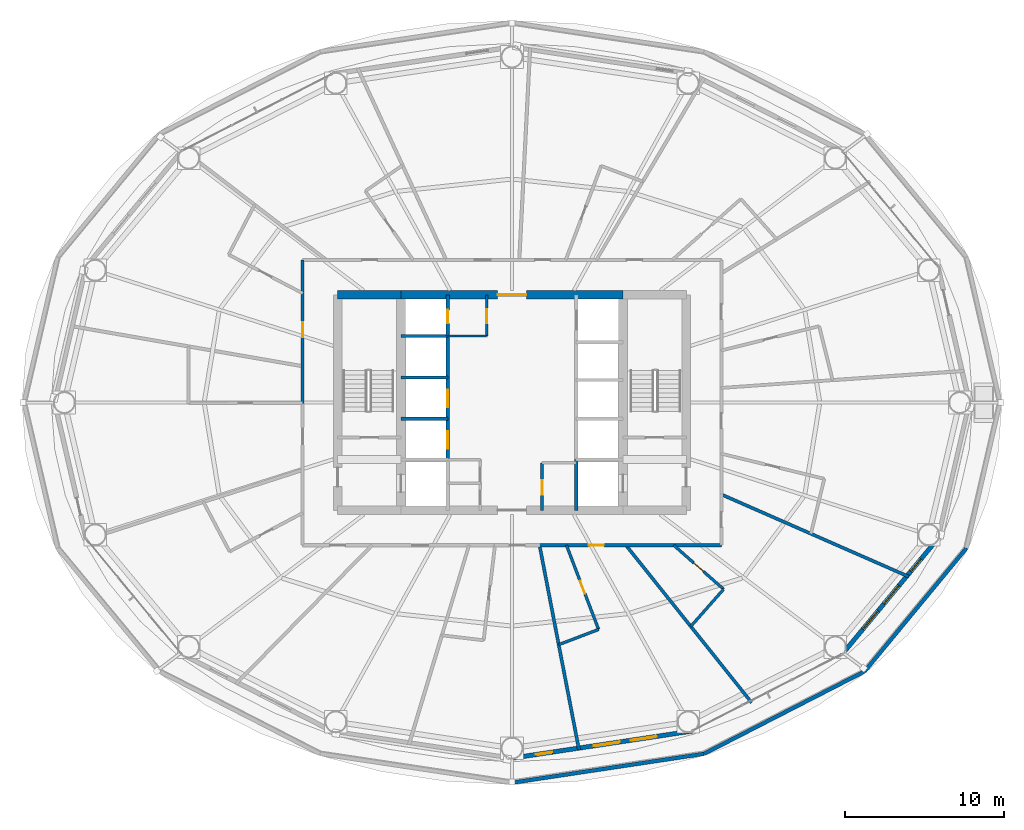
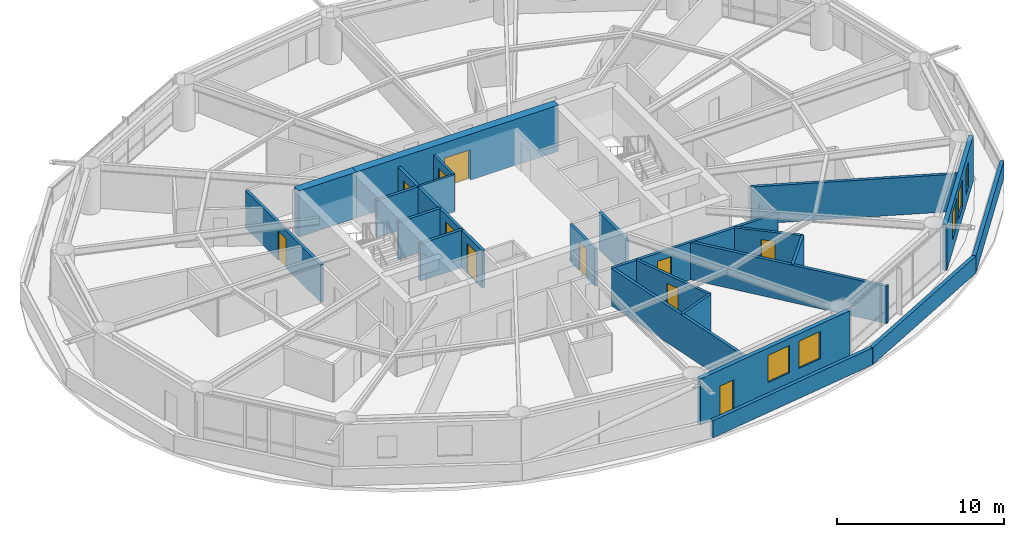
# One storey, part 20 of 25: 25 walls, 11 doors, 5 windows, 16 openings.
"""IFC4 building model written with IfcOpenShell, lengths in metres."""

import ifcopenshell
import ifcopenshell.guid

model = None  # the IFC model being written
_history = None  # IfcOwnerHistory: only IFC2X3 demands one
_inside = {}  # id of a spatial element -> (the spatial element, [elements in it])
_under = {}  # id of a project, library or spatial element -> (it, [spatial elements below it])
_declared = {}  # id of a project -> (the project, [libraries it declares])
_typed = {}  # id of a type object -> (the type object, [elements of that type])
_made_of = {}  # id of a material, layer set ... -> (it, [elements and type objects made of it])


def new_model(schema):
    """Start an empty IFC model of exactly this schema.

    Asked for "IFC4X3", IfcOpenShell would pick the latest addendum, in which some entities
    have other attributes; the version numbers below select the first issue.
    IFC2X3 requires an IfcOwnerHistory on every rooted entity: one is made here for all.
    """
    global model, _history
    if schema == "IFC4X3":
        model = ifcopenshell.file(schema_version=(4, 3, 0, 0))
    else:
        model = ifcopenshell.file(schema=schema)
    _inside.clear()
    _under.clear()
    _declared.clear()
    _typed.clear()
    _made_of.clear()
    _history = None
    if model.schema == "IFC2X3":
        org = make("IfcOrganization", Name="unknown")
        user = make(
            "IfcPersonAndOrganization",
            ThePerson=make("IfcPerson", FamilyName="unknown"),
            TheOrganization=org,
        )
        app = make(
            "IfcApplication",
            ApplicationDeveloper=org,
            Version="unknown",
            ApplicationFullName="unknown",
            ApplicationIdentifier="unknown",
        )
        _history = make(
            "IfcOwnerHistory",
            OwningUser=user,
            OwningApplication=app,
            ChangeAction="ADDED",
            CreationDate=0,
        )
    return model


def make(cls, **values):
    """One entity of the class cls with the attributes given. An attribute that is None is left unset."""
    return model.create_entity(
        cls, **{name: value for name, value in values.items() if value is not None}
    )


def rooted(cls, **values):
    """An entity with a GlobalId (a new one), such as an element, a storey or a relation."""
    return make(cls, GlobalId=ifcopenshell.guid.new(), OwnerHistory=_history, **values)


def si_unit(unit_type, name, prefix=None):
    """IfcSIUnit, for example si_unit("LENGTHUNIT", "METRE", prefix="MILLI")."""
    return make("IfcSIUnit", UnitType=unit_type, Prefix=prefix, Name=name)


def assignment(units):
    """IfcUnitAssignment: the units of a project."""
    return None if units is None else make("IfcUnitAssignment", Units=units)


def point(xyz):
    """IfcCartesianPoint."""
    return None if xyz is None else make("IfcCartesianPoint", Coordinates=xyz)


def direction(xyz):
    """IfcDirection."""
    return None if xyz is None else make("IfcDirection", DirectionRatios=xyz)


def frame(location, z_axis=None, x_axis=None):
    """IfcAxis2Placement3D, a coordinate frame: its origin and axes. An axis left out is left unset."""
    return make(
        "IfcAxis2Placement3D",
        Location=point(location),
        Axis=direction(z_axis),
        RefDirection=direction(x_axis),
    )


def frame_2d(location, x_axis=None):
    """IfcAxis2Placement2D, a coordinate frame in the plane: its origin and x axis."""
    return make(
        "IfcAxis2Placement2D", Location=point(location), RefDirection=direction(x_axis)
    )


def origin():
    """The frame at (0, 0, 0) with its axes left unset."""
    return frame((0.0, 0.0, 0.0))


def place(relative_to, where):
    """IfcLocalPlacement: puts the frame where relative to a parent placement (None: the world)."""
    return make(
        "IfcLocalPlacement", PlacementRelTo=relative_to, RelativePlacement=where
    )


def context(
    kind, dimensions, precision=None, world=None, true_north=None, identifier=None
):
    """IfcGeometricRepresentationContext, for example the 3D "Model" context."""
    return make(
        "IfcGeometricRepresentationContext",
        ContextIdentifier=identifier,
        ContextType=kind,
        CoordinateSpaceDimension=dimensions,
        Precision=precision,
        WorldCoordinateSystem=world,
        TrueNorth=true_north,
    )


def subcontext(parent, identifier, kind, view, scale=None):
    """IfcGeometricRepresentationSubContext, for example "Body" below "Model"."""
    return make(
        "IfcGeometricRepresentationSubContext",
        ContextIdentifier=identifier,
        ContextType=kind,
        ParentContext=parent,
        TargetScale=scale,
        TargetView=view,
    )


def project(units=None, contexts=None):
    """IfcProject with its units and contexts."""
    return rooted(
        "IfcProject",
        Name="project",
        RepresentationContexts=contexts,
        UnitsInContext=assignment(units),
    )


def spatial(cls, under=None, at=None, **own):
    """A site, building, storey or space (cls), placed at a placement, below another one or the project."""
    s = rooted(cls, ObjectPlacement=at, **own)
    if under is not None:
        _under.setdefault(under.id(), (under, []))[1].append(s)
    return s


def profile(cls, at=None, kind="AREA", **sizes):
    """A parametric profile (cls). Its sizes go by their IFC names, for example OverallWidth=200.0."""
    return make(cls, ProfileType=kind, Position=at, **sizes)


def rectangle(**sizes):
    """IfcRectangleProfileDef."""
    return profile("IfcRectangleProfileDef", **sizes)


def extrude(swept, where, along, depth):
    """IfcExtrudedAreaSolid: the profile swept, set in the frame where, extruded along a direction by depth."""
    return make(
        "IfcExtrudedAreaSolid",
        SweptArea=swept,
        Position=where,
        ExtrudedDirection=direction(along),
        Depth=depth,
    )


def shape(context_of_items, identifier, shape_type, items):
    """IfcShapeRepresentation: the items that make up one representation, for example the "Body"."""
    return make(
        "IfcShapeRepresentation",
        ContextOfItems=context_of_items,
        RepresentationIdentifier=identifier,
        RepresentationType=shape_type,
        Items=items,
    )


def material(Name=None, Category=None):
    """IfcMaterial."""
    return make("IfcMaterial", Name=Name, Category=Category)


def layer(
    of_material, thickness, ventilated=None, Name=None, Category=None, Priority=None
):
    """IfcMaterialLayer: one layer of a wall or slab, of a material (None: an air gap)."""
    return make(
        "IfcMaterialLayer",
        Material=of_material,
        LayerThickness=thickness,
        IsVentilated=ventilated,
        Name=Name,
        Category=Category,
        Priority=Priority,
    )


def layer_set(layers, Name=None):
    """IfcMaterialLayerSet."""
    return make("IfcMaterialLayerSet", MaterialLayers=layers, LayerSetName=Name)


def made_of(thing, what):
    """Note that an element or type object is made of a material, layer set ...; save() writes the relation."""
    if what is not None:
        _made_of.setdefault(what.id(), (what, []))[1].append(thing)
    return thing


def type_object(cls, material=None, **own):
    """A type object (cls), such as IfcWallType, which elements share."""
    return made_of(rooted(cls, **own), material)


def element(
    cls,
    number,
    at=None,
    inside=None,
    cuts=None,
    type_object=None,
    material=None,
    context=None,
    identifier="Body",
    shape_type=None,
    held_by="IfcProductDefinitionShape",
    body=None,
    shapes=None,
    **own,
):
    """One element of the class cls, such as IfcWall. Its Tag is "e" and its number.

    at: its placement. inside: the storey or other place that contains it. cuts: it is an
    opening in that element (IfcRelVoidsElement). A single representation is given by context,
    identifier, shape_type and body (its items); several are given by shapes. held_by: the class
    of the entity that holds the representations. save() writes the other relations.
    """
    e = rooted(cls, Tag="e%d" % number, ObjectPlacement=at, **own)
    if body is not None:
        shapes = [shape(context, identifier, shape_type, body)]
    if shapes is not None:
        e.Representation = make(held_by, Representations=shapes)
    if inside is not None:
        _inside.setdefault(inside.id(), (inside, []))[1].append(e)
    if cuts is not None:
        rooted(
            "IfcRelVoidsElement", RelatingBuildingElement=cuts, RelatedOpeningElement=e
        )
    if type_object is not None:
        _typed.setdefault(type_object.id(), (type_object, []))[1].append(e)
    return made_of(e, material)


def fill(opening, filler):
    """IfcRelFillsElement: the door or window that sits in an opening."""
    return rooted(
        "IfcRelFillsElement",
        RelatingOpeningElement=opening,
        RelatedBuildingElement=filler,
    )


def aggregate(whole, parts):
    """IfcRelAggregates: a whole, such as a stair, and the parts it consists of."""
    return rooted("IfcRelAggregates", RelatingObject=whole, RelatedObjects=parts)


def save(model, path):
    """Write the relations noted so far, then the file.

    IfcRelAggregates (storeys below a building ...), IfcRelContainedInSpatialStructure (elements
    in a storey), IfcRelDefinesByType, IfcRelAssociatesMaterial and IfcRelDeclares: one each for
    every whole, place, type object, material and project.
    """
    for whole, parts in _under.values():
        aggregate(whole, parts)
    for where, things in _inside.values():
        rooted(
            "IfcRelContainedInSpatialStructure",
            RelatedElements=things,
            RelatingStructure=where,
        )
    for kind, things in _typed.values():
        rooted("IfcRelDefinesByType", RelatedObjects=things, RelatingType=kind)
    for what, things in _made_of.values():
        rooted("IfcRelAssociatesMaterial", RelatedObjects=things, RelatingMaterial=what)
    for by, libraries in _declared.values():
        rooted("IfcRelDeclares", RelatingContext=by, RelatedDefinitions=libraries)
    model.write(path)


model = new_model("IFC4")

# Units and contexts
model_context = context("Model", 3, precision=1e-05, world=origin(), true_north=direction((0.0, 1.0)))
body_context = subcontext(model_context, "Body", "Model", "MODEL_VIEW")
ifc_project = project(units=[si_unit("LENGTHUNIT", "METRE"), si_unit("AREAUNIT", "SQUARE_METRE"), si_unit("VOLUMEUNIT", "CUBIC_METRE"), si_unit("PLANEANGLEUNIT", "RADIAN"), si_unit("MASSUNIT", "GRAM", prefix="KILO")], contexts=[model_context])

# Site, building, storey
site_placement = place(None, origin())
site = spatial("IfcSite", under=ifc_project, at=site_placement, CompositionType="ELEMENT")
building_placement = place(site_placement, origin())
building = spatial("IfcBuilding", under=site, at=building_placement, Name="Sarneth Arch Tower", CompositionType="ELEMENT")
storey_placement = place(building_placement, frame((0.0, 0.0, 84.0)))
storey = spatial("IfcBuildingStorey", under=building, at=storey_placement, Name="L20", CompositionType="ELEMENT", Elevation=84.0)

# Wall
ifc_material_1 = material(Name="Concrete C60/75", Category="concrete")
ifc_layer_1 = layer(ifc_material_1, 0.550048828125)
ifc_layer_set_1 = layer_set([ifc_layer_1], Name="Concrete C60/75")
wall_type_1 = type_object("IfcWallType", Name="WALL-CORE-550", PredefinedType="SHEAR", material=ifc_layer_set_1)
wall_1_placement = place(storey_placement, frame((37.0, 48.800048828125, 0.0), z_axis=(0.0, 0.0, 1.0), x_axis=(1.0, 0.0, 0.0)))
element("IfcWall", 1, at=wall_1_placement, inside=storey, type_object=wall_type_1, Name="L20 Core shear wall N-W", PredefinedType="SHEAR", context=body_context, shape_type="SweptSolid", body=[
    extrude(rectangle(XDim=4.0, YDim=0.550048828125, at=frame_2d((2.0, 0.0))), origin(), (0.0, 0.0, 1.0), 3.3798828125),
])

# Wall, opening, door
wall_2_placement = place(storey_placement, frame((41.0, 48.800048828125, 0.0), z_axis=(0.0, 0.0, 1.0), x_axis=(1.0, 0.0, 0.0)))
wall_2 = element("IfcWall", 2, at=wall_2_placement, inside=storey, type_object=wall_type_1, Name="L20 Core shear wall N-M", PredefinedType="SHEAR", context=body_context, shape_type="SweptSolid", body=[
    extrude(rectangle(XDim=14.0, YDim=0.550048828125, at=frame_2d((7.0, 0.0))), origin(), (0.0, 0.0, 1.0), 3.3798828125),
])
opening_1_placement = place(wall_2_placement, frame((6.10009765625, 0.0, 0.0)))
opening_1 = element("IfcOpeningElement", 3, at=opening_1_placement, cuts=wall_2, Name="Opening FD-01", PredefinedType="OPENING", context=body_context, shape_type="SweptSolid", body=[
    extrude(rectangle(XDim=1.800048828125, YDim=2.25, at=frame_2d((0.89990234375, 1.125))), frame((0.0, 0.284912109375, 0.0), z_axis=(0.0, -1.0, 0.0), x_axis=(1.0, 0.0, 0.0)), (0.0, 0.0, 1.0), 0.570068359375),
])
ifc_material_2 = material(Name="Galvanised Steel S275 fire door set", Category="steel")
door_type_1 = type_object("IfcDoorType", Name="DR-FD90-1800", OperationType="DOUBLE_DOOR_SINGLE_SWING", PredefinedType="DOOR", material=ifc_material_2)
door_1_placement = place(opening_1_placement, origin())
door_1 = element("IfcDoor", 4, at=door_1_placement, inside=storey, type_object=door_type_1, Name="L20 Central lift lobby north door", OperationType="DOUBLE_DOOR_SINGLE_SWING", OverallHeight=2.25, OverallWidth=1.800048828125, PredefinedType="DOOR", context=body_context, shape_type="SweptSolid", body=[
    extrude(rectangle(XDim=1.800048828125, YDim=2.25, at=frame_2d((0.89990234375, 1.125))), frame((0.0, 0.02490234375, 0.0), z_axis=(0.0, -1.0, 0.0), x_axis=(1.0, 0.0, 0.0)), (0.0, 0.0, 1.0), 0.050048828125),
])
fill(opening_1, door_1)

ifc_material_3 = material(Name="Double steel-stud corridor fire wall", Category="steel")
ifc_layer_2 = layer(ifc_material_3, 0.18994140625)
ifc_layer_set_2 = layer_set([ifc_layer_2], Name="Double steel-stud corridor fire wall")
wall_type_2 = type_object("IfcWallType", Name="WALL-CORR-190", PredefinedType="PARTITIONING", material=ifc_layer_set_2)
wall_3_placement = place(storey_placement, frame((34.800048828125, 41.939697265625, 0.0), z_axis=(0.0, 0.0, 1.0), x_axis=(0.0, 1.0, 0.0)))
wall_3 = element("IfcWall", 5, at=wall_3_placement, inside=storey, type_object=wall_type_2, Name="L20 Interior partition W-L20-TP-011", PredefinedType="PARTITIONING", context=body_context, shape_type="SweptSolid", body=[
    extrude(rectangle(XDim=9.060302734375, YDim=0.18994140625, at=frame_2d((4.5302734375, 0.0))), origin(), (0.0, 0.0, 1.0), 2.739990234375),
])
opening_2_placement = place(wall_3_placement, frame((4.1787109375, 0.0, 0.0)))
opening_2 = element("IfcOpeningElement", 6, at=opening_2_placement, cuts=wall_3, Name="Opening FD-09", PredefinedType="OPENING", context=body_context, shape_type="SweptSolid", body=[
    extrude(rectangle(XDim=0.949951171875, YDim=2.14990234375, at=frame_2d((0.47509765625, 1.074951171875))), frame((0.0, 0.10498046875, 0.0), z_axis=(0.0, -1.0, 0.0), x_axis=(1.0, 0.0, 0.0)), (0.0, 0.0, 1.0), 0.2099609375),
])
ifc_material_4 = material(Name="Hardwood timber hotel entrance fire door", Category="wood")
door_type_2 = type_object("IfcDoorType", Name="DR-FD60-950", OperationType="SINGLE_SWING_RIGHT", PredefinedType="DOOR", material=ifc_material_4)
door_2_placement = place(opening_2_placement, origin())
door_2 = element("IfcDoor", 7, at=door_2_placement, inside=storey, type_object=door_type_2, Name="L20 Interior door DR-L20-KEY-06", OperationType="SINGLE_SWING_LEFT", OverallHeight=2.14990234375, OverallWidth=0.949951171875, PredefinedType="DOOR", context=body_context, shape_type="SweptSolid", body=[
    extrude(rectangle(XDim=0.949951171875, YDim=2.14990234375, at=frame_2d((0.47509765625, 1.074951171875))), frame((0.0, 0.02490234375, 0.0), z_axis=(0.0, -1.0, 0.0), x_axis=(1.0, 0.0, 0.0)), (0.0, 0.0, 1.0), 0.050048828125),
])
fill(opening_2, door_2)

wall_4_placement = place(storey_placement, frame((61.199951171875, 33.0, 0.0), z_axis=(0.0, 0.0, 1.0), x_axis=(-1.0, 0.0, 0.0)))
wall_4 = element("IfcWall", 8, at=wall_4_placement, inside=storey, type_object=wall_type_2, Name="L20 Interior partition W-L20-TP-022", PredefinedType="PARTITIONING", context=body_context, shape_type="SweptSolid", body=[
    extrude(rectangle(XDim=11.49560546875, YDim=0.18994140625, at=frame_2d((5.747802734375, 0.0))), origin(), (0.0, 0.0, 1.0), 2.739990234375),
])
opening_3_placement = place(wall_4_placement, frame((7.40966796875, 0.0, 0.0)))
opening_3 = element("IfcOpeningElement", 9, at=opening_3_placement, cuts=wall_4, Name="Opening FD-09", PredefinedType="OPENING", context=body_context, shape_type="SweptSolid", body=[
    extrude(rectangle(XDim=0.949951171875, YDim=2.14990234375, at=frame_2d((0.47509765625, 1.074951171875))), frame((0.0, 0.10498046875, 0.0), z_axis=(0.0, -1.0, 0.0), x_axis=(1.0, 0.0, 0.0)), (0.0, 0.0, 1.0), 0.2099609375),
])
door_3_placement = place(opening_3_placement, origin())
door_3 = element("IfcDoor", 10, at=door_3_placement, inside=storey, type_object=door_type_2, Name="L20 Interior door DR-L20-KEY-11", OperationType="SINGLE_SWING_RIGHT", OverallHeight=2.14990234375, OverallWidth=0.949951171875, PredefinedType="DOOR", context=body_context, shape_type="SweptSolid", body=[
    extrude(rectangle(XDim=0.949951171875, YDim=2.14990234375, at=frame_2d((0.47509765625, 1.074951171875))), frame((0.0, 0.02490234375, 0.0), z_axis=(0.0, -1.0, 0.0), x_axis=(1.0, 0.0, 0.0)), (0.0, 0.0, 1.0), 0.050048828125),
])
fill(opening_3, door_3)

# Wall, openings, door, windows
ifc_material_5 = material(Name="Extruded terracotta rainscreen on Concrete C40/50 backing", Category="masonry")
ifc_layer_3 = layer(ifc_material_5, 0.280029296875)
ifc_layer_set_3 = layer_set([ifc_layer_3], Name="Extruded terracotta rainscreen on Concrete C40/50 backing")
wall_type_3 = type_object("IfcWallType", Name="WALL-EXT-TERRA-280", PredefinedType="SOLIDWALL", material=ifc_layer_set_3)
wall_5_placement = place(storey_placement, frame((48.0, 19.570068359375, 0.0), z_axis=(0.0, 0.0, 1.0), x_axis=(0.988877774656, 0.148730450117, 0.0)))
wall_5 = element("IfcWall", 11, at=wall_5_placement, inside=storey, type_object=wall_type_3, Name="L20 Terracotta perimeter wall 13", PredefinedType="SOLIDWALL", context=body_context, shape_type="SweptSolid", body=[
    extrude(rectangle(XDim=11.47900390625, YDim=0.280029296875, at=frame_2d((5.739501953125, 0.0))), origin(), (0.0, 0.0, 1.0), 3.3798828125),
])
opening_4_placement = place(wall_5_placement, frame((1.523681640625, 0.0, 0.0)))
opening_4 = element("IfcOpeningElement", 12, at=opening_4_placement, cuts=wall_5, Name="Opening BD-4", PredefinedType="OPENING", context=body_context, shape_type="SweptSolid", body=[
    extrude(rectangle(XDim=1.050048828125, YDim=2.199951171875, at=frame_2d((0.52490234375, 1.10009765625))), frame((0.0, 0.14990234375, 0.0), z_axis=(0.0, -1.0, 0.0), x_axis=(1.0, 0.0, 0.0)), (0.0, 0.0, 1.0), 0.300048828125),
])
opening_5_placement = place(wall_5_placement, frame((5.21484375, 0.0, 0.85009765625)))
opening_5 = element("IfcOpeningElement", 13, at=opening_5_placement, cuts=wall_5, Name="Opening W-05", PredefinedType="OPENING", context=body_context, shape_type="SweptSolid", body=[
    extrude(rectangle(XDim=1.64990234375, YDim=2.0, at=frame_2d((0.824951171875, 1.0))), frame((0.0, 0.14990234375, 0.0), z_axis=(0.0, -1.0, 0.0), x_axis=(1.0, 0.0, 0.0)), (0.0, 0.0, 1.0), 0.300048828125),
])
opening_6_placement = place(wall_5_placement, frame((7.571044921875, 0.0, 0.85009765625)))
opening_6 = element("IfcOpeningElement", 14, at=opening_6_placement, cuts=wall_5, Name="Opening W-05", PredefinedType="OPENING", context=body_context, shape_type="SweptSolid", body=[
    extrude(rectangle(XDim=1.64990234375, YDim=2.0, at=frame_2d((0.824951171875, 1.0))), frame((0.0, 0.14990234375, 0.0), z_axis=(0.0, -1.0, 0.0), x_axis=(1.0, 0.0, 0.0)), (0.0, 0.0, 1.0), 0.300048828125),
])
ifc_material_6 = material(Name="Thermally broken Aluminium 6063-T6 and laminated safety glass", Category="aluminium")
door_type_3 = type_object("IfcDoorType", Name="DR-BALC-GLZ-1050", OperationType="SINGLE_SWING_RIGHT", PredefinedType="DOOR", material=ifc_material_6)
door_4_placement = place(opening_4_placement, origin())
door_4 = element("IfcDoor", 15, at=door_4_placement, inside=storey, type_object=door_type_3, Name="L20 Maintenance roof access door 13", OperationType="SINGLE_SWING_RIGHT", OverallHeight=2.199951171875, OverallWidth=1.050048828125, PredefinedType="DOOR", context=body_context, shape_type="SweptSolid", body=[
    extrude(rectangle(XDim=1.050048828125, YDim=2.199951171875, at=frame_2d((0.52490234375, 1.10009765625))), frame((0.0, 0.02490234375, 0.0), z_axis=(0.0, -1.0, 0.0), x_axis=(1.0, 0.0, 0.0)), (0.0, 0.0, 1.0), 0.050048828125),
])
fill(opening_4, door_4)
ifc_material_7 = material(Name="Thermally broken Aluminium 6063-T6 and low-e laminated IGU", Category="aluminium")
window_type_1 = type_object("IfcWindowType", Name="WIN-TWR-1650x2000", PartitioningType="DOUBLE_PANEL_VERTICAL", PredefinedType="WINDOW", material=ifc_material_7)
window_1_placement = place(opening_5_placement, origin())
window_1 = element("IfcWindow", 16, at=window_1_placement, inside=storey, type_object=window_type_1, Name="L20 Exterior window 13A", OverallHeight=2.0, OverallWidth=1.64990234375, PartitioningType="SINGLE_PANEL", PredefinedType="WINDOW", context=body_context, shape_type="SweptSolid", body=[
    extrude(rectangle(XDim=1.64990234375, YDim=2.0, at=frame_2d((0.824951171875, 1.0))), frame((0.0, 0.030029296875, 0.0), z_axis=(0.0, -1.0, 0.0), x_axis=(1.0, 0.0, 0.0)), (0.0, 0.0, 1.0), 0.06005859375),
])
fill(opening_5, window_1)
window_2_placement = place(opening_6_placement, origin())
window_2 = element("IfcWindow", 17, at=window_2_placement, inside=storey, type_object=window_type_1, Name="L20 Exterior window 13B", OverallHeight=2.0, OverallWidth=1.64990234375, PartitioningType="SINGLE_PANEL", PredefinedType="WINDOW", context=body_context, shape_type="SweptSolid", body=[
    extrude(rectangle(XDim=1.64990234375, YDim=2.0, at=frame_2d((0.824951171875, 1.0))), frame((0.0, 0.030029296875, 0.0), z_axis=(0.0, -1.0, 0.0), x_axis=(1.0, 0.0, 0.0)), (0.0, 0.0, 1.0), 0.06005859375),
])
fill(opening_6, window_2)

# Wall, openings, windows
wall_6_placement = place(storey_placement, frame((68.840087890625, 26.1396484375, 0.0), z_axis=(0.0, 0.0, 1.0), x_axis=(0.637505817448, 0.770445541696, 0.0)))
wall_6 = element("IfcWall", 18, at=wall_6_placement, inside=storey, type_object=wall_type_3, Name="L20 Terracotta perimeter wall 15", PredefinedType="SOLIDWALL", context=body_context, shape_type="SweptSolid", body=[
    extrude(rectangle(XDim=9.445068359375, YDim=0.280029296875, at=frame_2d((4.72265625, 0.0))), origin(), (0.0, 0.0, 1.0), 3.3798828125),
])
opening_7_placement = place(wall_6_placement, frame((2.033203125, 0.0, 0.85009765625)))
opening_7 = element("IfcOpeningElement", 19, at=opening_7_placement, cuts=wall_6, Name="Opening W-06", PredefinedType="OPENING", context=body_context, shape_type="SweptSolid", body=[
    extrude(rectangle(XDim=1.5, YDim=2.0, at=frame_2d((0.75, 1.0))), frame((0.0, 0.14990234375, 0.0), z_axis=(0.0, -1.0, 0.0), x_axis=(1.0, 0.0, 0.0)), (0.0, 0.0, 1.0), 0.300048828125),
])
opening_8_placement = place(wall_6_placement, frame((4.10546875, 0.0, 0.85009765625)))
opening_8 = element("IfcOpeningElement", 20, at=opening_8_placement, cuts=wall_6, Name="Opening W-06", PredefinedType="OPENING", context=body_context, shape_type="SweptSolid", body=[
    extrude(rectangle(XDim=1.5, YDim=2.0, at=frame_2d((0.75, 1.0))), frame((0.0, 0.14990234375, 0.0), z_axis=(0.0, -1.0, 0.0), x_axis=(1.0, 0.0, 0.0)), (0.0, 0.0, 1.0), 0.300048828125),
])
opening_9_placement = place(wall_6_placement, frame((6.7724609375, 0.0, 0.85009765625)))
opening_9 = element("IfcOpeningElement", 21, at=opening_9_placement, cuts=wall_6, Name="Opening W-11", PredefinedType="OPENING", context=body_context, shape_type="SweptSolid", body=[
    extrude(rectangle(XDim=1.0, YDim=1.800048828125, at=frame_2d((0.5, 0.89990234375))), frame((0.0, 0.14990234375, 0.0), z_axis=(0.0, -1.0, 0.0), x_axis=(1.0, 0.0, 0.0)), (0.0, 0.0, 1.0), 0.300048828125),
])
ifc_material_8 = material(Name="Thermally broken Aluminium 6063-T6 and low-e laminated IGU", Category="aluminium")
window_type_2 = type_object("IfcWindowType", Name="WIN-TWR-1000x1800", PartitioningType="SINGLE_PANEL", PredefinedType="WINDOW", material=ifc_material_8)
window_3_placement = place(opening_9_placement, origin())
window_3 = element("IfcWindow", 22, at=window_3_placement, inside=storey, type_object=window_type_2, Name="L20 Exterior window 15C", OverallHeight=1.800048828125, OverallWidth=1.0, PartitioningType="SINGLE_PANEL", PredefinedType="WINDOW", context=body_context, shape_type="SweptSolid", body=[
    extrude(rectangle(XDim=1.0, YDim=1.800048828125, at=frame_2d((0.5, 0.89990234375))), frame((0.0, 0.030029296875, 0.0), z_axis=(0.0, -1.0, 0.0), x_axis=(1.0, 0.0, 0.0)), (0.0, 0.0, 1.0), 0.06005859375),
])
fill(opening_9, window_3)
ifc_material_9 = material(Name="Thermally broken Aluminium 6063-T6 and low-e laminated IGU", Category="aluminium")
window_type_3 = type_object("IfcWindowType", Name="WIN-TWR-1500x2000", PartitioningType="SINGLE_PANEL", PredefinedType="WINDOW", material=ifc_material_9)
window_4_placement = place(opening_7_placement, origin())
window_4 = element("IfcWindow", 23, at=window_4_placement, inside=storey, type_object=window_type_3, Name="L20 Exterior window 15A", OverallHeight=2.0, OverallWidth=1.5, PartitioningType="SINGLE_PANEL", PredefinedType="WINDOW", context=body_context, shape_type="SweptSolid", body=[
    extrude(rectangle(XDim=1.5, YDim=2.0, at=frame_2d((0.75, 1.0))), frame((0.0, 0.030029296875, 0.0), z_axis=(0.0, -1.0, 0.0), x_axis=(1.0, 0.0, 0.0)), (0.0, 0.0, 1.0), 0.06005859375),
])
fill(opening_7, window_4)
window_5_placement = place(opening_8_placement, origin())
window_5 = element("IfcWindow", 24, at=window_5_placement, inside=storey, type_object=window_type_3, Name="L20 Exterior window 15B", OverallHeight=2.0, OverallWidth=1.5, PartitioningType="SINGLE_PANEL", PredefinedType="WINDOW", context=body_context, shape_type="SweptSolid", body=[
    extrude(rectangle(XDim=1.5, YDim=2.0, at=frame_2d((0.75, 1.0))), frame((0.0, 0.030029296875, 0.0), z_axis=(0.0, -1.0, 0.0), x_axis=(1.0, 0.0, 0.0)), (0.0, 0.0, 1.0), 0.06005859375),
])
fill(opening_8, window_5)

# Walls
ifc_material_10 = material(Name="Extruded terracotta rainscreen on Concrete C40/50 backing", Category="masonry")
ifc_layer_4 = layer(ifc_material_10, 0.239990234375)
ifc_layer_set_4 = layer_set([ifc_layer_4], Name="Extruded terracotta rainscreen on Concrete C40/50 backing")
wall_type_4 = type_object("IfcWallType", Name="WALL-PARAPET-240", PredefinedType="PARAPET", material=ifc_layer_set_4)
wall_7_placement = place(storey_placement, frame((48.0, 18.02001953125, 0.0), z_axis=(0.0, 0.0, 1.0), x_axis=(0.988840272251, 0.148979582406, 0.0)))
element("IfcWall", 25, at=wall_7_placement, inside=storey, type_object=wall_type_4, Name="L20 Setback roof parapet 13", PredefinedType="PARAPET", context=body_context, shape_type="SweptSolid", body=[
    extrude(rectangle(XDim=12.2529296875, YDim=0.239990234375, at=frame_2d((6.12646484375, 0.0))), origin(), (0.0, 0.0, 1.0), 1.25),
])
wall_8_placement = place(storey_placement, frame((60.1162109375, 19.845458984375, 0.0), z_axis=(0.0, 0.0, 1.0), x_axis=(0.889663800129, 0.456616165658, 0.0)))
element("IfcWall", 26, at=wall_8_placement, inside=storey, type_object=wall_type_4, Name="L20 Setback roof parapet 14", PredefinedType="PARAPET", context=body_context, shape_type="SweptSolid", body=[
    extrude(rectangle(XDim=11.38427734375, YDim=0.239990234375, at=frame_2d((5.692138671875, 0.0))), origin(), (0.0, 0.0, 1.0), 1.25),
])
wall_9_placement = place(storey_placement, frame((70.244384765625, 25.043701171875, 0.0), z_axis=(0.0, 0.0, 1.0), x_axis=(0.636906456166, 0.770941091196, 0.0)))
element("IfcWall", 27, at=wall_9_placement, inside=storey, type_object=wall_type_4, Name="L20 Setback roof parapet 15", PredefinedType="PARAPET", context=body_context, shape_type="SweptSolid", body=[
    extrude(rectangle(XDim=10.091064453125, YDim=0.239990234375, at=frame_2d((5.04541015625, 0.0))), origin(), (0.0, 0.0, 1.0), 1.25),
])
ifc_material_11 = material(Name="Acoustic gypsum stud partition", Category="gypsum")
ifc_layer_5 = layer(ifc_material_11, 0.14990234375)
ifc_layer_set_5 = layer_set([ifc_layer_5], Name="Acoustic gypsum stud partition")
wall_type_5 = type_object("IfcWallType", Name="WALL-PART-150", PredefinedType="PARTITIONING", material=ifc_layer_set_5)
wall_10_placement = place(storey_placement, frame((43.949951171875, 46.199951171875, 0.0), z_axis=(0.0, 0.0, 1.0), x_axis=(1.0, 0.0, 0.0)))
element("IfcWall", 28, at=wall_10_placement, inside=storey, type_object=wall_type_5, Name="L20 Interior partition W-L20-CSUP3-S", PredefinedType="PARTITIONING", context=body_context, shape_type="SweptSolid", body=[
    extrude(rectangle(XDim=2.449951171875, YDim=0.14990234375, at=frame_2d((1.22509765625, 0.0))), origin(), (0.0, 0.0, 1.0), 2.739990234375),
])

# Wall, opening, door
wall_11_placement = place(storey_placement, frame((46.39990234375, 46.199951171875, 0.0), z_axis=(0.0, 0.0, 1.0), x_axis=(0.0, 1.0, 0.0)))
wall_11 = element("IfcWall", 29, at=wall_11_placement, inside=storey, type_object=wall_type_5, Name="L20 Interior partition W-L20-CSUP3-E", PredefinedType="PARTITIONING", context=body_context, shape_type="SweptSolid", body=[
    extrude(rectangle(XDim=2.60009765625, YDim=0.14990234375, at=frame_2d((1.300048828125, 0.0))), origin(), (0.0, 0.0, 1.0), 2.739990234375),
])
opening_10_placement = place(wall_11_placement, frame((0.800048828125, 0.0, 0.0)))
opening_10 = element("IfcOpeningElement", 30, at=opening_10_placement, cuts=wall_11, Name="Opening FD-10", PredefinedType="OPENING", context=body_context, shape_type="SweptSolid", body=[
    extrude(rectangle(XDim=0.89990234375, YDim=2.14990234375, at=frame_2d((0.449951171875, 1.074951171875))), frame((0.0, 0.0849609375, 0.0), z_axis=(0.0, -1.0, 0.0), x_axis=(1.0, 0.0, 0.0)), (0.0, 0.0, 1.0), 0.169921875),
])
ifc_material_12 = material(Name="Galvanised Steel S275 riser/service fire door", Category="steel")
door_type_4 = type_object("IfcDoorType", Name="DR-FD60-900", OperationType="SINGLE_SWING_LEFT", PredefinedType="DOOR", material=ifc_material_12)
door_5_placement = place(opening_10_placement, origin())
door_5 = element("IfcDoor", 31, at=door_5_placement, inside=storey, type_object=door_type_4, Name="L20 Interior door DR-L20-CSUP3", OperationType="SINGLE_SWING_LEFT", OverallHeight=2.14990234375, OverallWidth=0.89990234375, PredefinedType="DOOR", context=body_context, shape_type="SweptSolid", body=[
    extrude(rectangle(XDim=0.89990234375, YDim=2.14990234375, at=frame_2d((0.449951171875, 1.074951171875))), frame((0.0, 0.02490234375, 0.0), z_axis=(0.0, -1.0, 0.0), x_axis=(1.0, 0.0, 0.0)), (0.0, 0.0, 1.0), 0.050048828125),
])
fill(opening_10, door_5)

ifc_material_13 = material(Name="Moisture-resistant plumbing chase wall", Category="gypsum")
ifc_layer_6 = layer(ifc_material_13, 0.179931640625)
ifc_layer_set_6 = layer_set([ifc_layer_6], Name="Moisture-resistant plumbing chase wall")
wall_type_6 = type_object("IfcWallType", Name="WALL-PLUMB-180", PredefinedType="PLUMBINGWALL", material=ifc_layer_set_6)
wall_12_placement = place(storey_placement, frame((49.89990234375, 35.199951171875, 0.0), z_axis=(0.0, 0.0, 1.0), x_axis=(0.0, 1.0, 0.0)))
wall_12 = element("IfcWall", 32, at=wall_12_placement, inside=storey, type_object=wall_type_6, Name="L20 Interior partition W-L20-AWC-W", PredefinedType="PLUMBINGWALL", context=body_context, shape_type="SweptSolid", body=[
    extrude(rectangle(XDim=3.0, YDim=0.179931640625, at=frame_2d((1.5, 0.0))), origin(), (0.0, 0.0, 1.0), 2.739990234375),
])
opening_11_placement = place(wall_12_placement, frame((1.0, 0.0, 0.0)))
opening_11 = element("IfcOpeningElement", 33, at=opening_11_placement, cuts=wall_12, Name="Opening ID-01", PredefinedType="OPENING", context=body_context, shape_type="SweptSolid", body=[
    extrude(rectangle(XDim=0.89990234375, YDim=2.10009765625, at=frame_2d((0.449951171875, 1.050048828125))), frame((0.0, 0.099853515625, 0.0), z_axis=(0.0, -1.0, 0.0), x_axis=(1.0, 0.0, 0.0)), (0.0, 0.0, 1.0), 0.199951171875),
])
ifc_material_14 = material(Name="Engineered hardwood flush door", Category="wood")
door_type_5 = type_object("IfcDoorType", Name="DR-INT-900", OperationType="SINGLE_SWING_LEFT", PredefinedType="DOOR", material=ifc_material_14)
door_6_placement = place(opening_11_placement, origin())
door_6 = element("IfcDoor", 34, at=door_6_placement, inside=storey, type_object=door_type_5, Name="L20 Interior door DR-L20-AWC", OperationType="SINGLE_SWING_RIGHT", OverallHeight=2.10009765625, OverallWidth=0.89990234375, PredefinedType="DOOR", context=body_context, shape_type="SweptSolid", body=[
    extrude(rectangle(XDim=0.89990234375, YDim=2.10009765625, at=frame_2d((0.449951171875, 1.050048828125))), frame((0.0, 0.02490234375, 0.0), z_axis=(0.0, -1.0, 0.0), x_axis=(1.0, 0.0, 0.0)), (0.0, 0.0, 1.0), 0.050048828125),
])
fill(opening_11, door_6)

wall_13_placement = place(storey_placement, frame((53.462890625, 27.68798828125, 0.0), z_axis=(0.0, 0.0, 1.0), x_axis=(-0.356604128264, 0.934255583716, 0.0)))
wall_13 = element("IfcWall", 35, at=wall_13_placement, inside=storey, type_object=wall_type_6, Name="L20 Interior partition W-L20-TP-066", PredefinedType="PLUMBINGWALL", context=body_context, shape_type="SweptSolid", body=[
    extrude(rectangle(XDim=5.685791015625, YDim=0.179931640625, at=frame_2d((2.8427734375, 0.0))), origin(), (0.0, 0.0, 1.0), 2.739990234375),
])
opening_12_placement = place(wall_13_placement, frame((2.41796875, 0.0, 0.0)))
opening_12 = element("IfcOpeningElement", 36, at=opening_12_placement, cuts=wall_13, Name="Opening ID-02", PredefinedType="OPENING", context=body_context, shape_type="SweptSolid", body=[
    extrude(rectangle(XDim=0.85009765625, YDim=2.10009765625, at=frame_2d((0.425048828125, 1.050048828125))), frame((0.0, 0.099853515625, 0.0), z_axis=(0.0, -1.0, 0.0), x_axis=(1.0, 0.0, 0.0)), (0.0, 0.0, 1.0), 0.199951171875),
])
ifc_material_15 = material(Name="Moisture-resistant bathroom timber door", Category="wood")
door_type_6 = type_object("IfcDoorType", Name="DR-INT-850", OperationType="SINGLE_SWING_RIGHT", PredefinedType="DOOR", material=ifc_material_15)
door_7_placement = place(opening_12_placement, origin())
door_7 = element("IfcDoor", 37, at=door_7_placement, inside=storey, type_object=door_type_6, Name="L20 Interior door DR-L20-ENS-11", OperationType="SINGLE_SWING_LEFT", OverallHeight=2.10009765625, OverallWidth=0.85009765625, PredefinedType="DOOR", context=body_context, shape_type="SweptSolid", body=[
    extrude(rectangle(XDim=0.85009765625, YDim=2.10009765625, at=frame_2d((0.425048828125, 1.050048828125))), frame((0.0, 0.02490234375, 0.0), z_axis=(0.0, -1.0, 0.0), x_axis=(1.0, 0.0, 0.0)), (0.0, 0.0, 1.0), 0.050048828125),
])
fill(opening_12, door_7)

wall_14_placement = place(storey_placement, frame((61.348388671875, 30.225341796875, 0.0), z_axis=(0.0, 0.0, 1.0), x_axis=(-0.749931272561, 0.661515749197, 0.0)))
wall_14 = element("IfcWall", 38, at=wall_14_placement, inside=storey, type_object=wall_type_6, Name="L20 Interior partition W-L20-TP-070", PredefinedType="PLUMBINGWALL", context=body_context, shape_type="SweptSolid", body=[
    extrude(rectangle(XDim=4.1943359375, YDim=0.179931640625, at=frame_2d((2.09716796875, 0.0))), origin(), (0.0, 0.0, 1.0), 2.739990234375),
])
opening_13_placement = place(wall_14_placement, frame((1.672119140625, 0.0, 0.0)))
opening_13 = element("IfcOpeningElement", 39, at=opening_13_placement, cuts=wall_14, Name="Opening ID-02", PredefinedType="OPENING", context=body_context, shape_type="SweptSolid", body=[
    extrude(rectangle(XDim=0.85009765625, YDim=2.10009765625, at=frame_2d((0.425048828125, 1.050048828125))), frame((0.0, 0.099853515625, 0.0), z_axis=(0.0, -1.0, 0.0), x_axis=(1.0, 0.0, 0.0)), (0.0, 0.0, 1.0), 0.199951171875),
])
door_8_placement = place(opening_13_placement, origin())
door_8 = element("IfcDoor", 40, at=door_8_placement, inside=storey, type_object=door_type_6, Name="L20 Interior door DR-L20-ENS-12", OperationType="SINGLE_SWING_LEFT", OverallHeight=2.10009765625, OverallWidth=0.85009765625, PredefinedType="DOOR", context=body_context, shape_type="SweptSolid", body=[
    extrude(rectangle(XDim=0.85009765625, YDim=2.10009765625, at=frame_2d((0.425048828125, 1.050048828125))), frame((0.0, 0.02490234375, 0.0), z_axis=(0.0, -1.0, 0.0), x_axis=(1.0, 0.0, 0.0)), (0.0, 0.0, 1.0), 0.050048828125),
])
fill(opening_13, door_8)

# Walls
wall_15_placement = place(storey_placement, frame((59.27880859375, 27.879150390625, 0.0), z_axis=(0.0, 0.0, 1.0), x_axis=(0.661515810511, 0.749931218475, 0.0)))
element("IfcWall", 41, at=wall_15_placement, inside=storey, type_object=wall_type_6, Name="L20 Interior partition W-L20-TP-069", PredefinedType="PLUMBINGWALL", context=body_context, shape_type="SweptSolid", body=[
    extrude(rectangle(XDim=3.128662109375, YDim=0.179931640625, at=frame_2d((1.564453125, 0.0))), origin(), (0.0, 0.0, 1.0), 2.739990234375),
])
wall_16_placement = place(storey_placement, frame((50.947509765625, 26.727783203125, 0.0), z_axis=(0.0, 0.0, 1.0), x_axis=(0.934244754769, 0.35663249738, 0.0)))
element("IfcWall", 42, at=wall_16_placement, inside=storey, type_object=wall_type_6, Name="L20 Interior partition W-L20-TP-065", PredefinedType="PLUMBINGWALL", context=body_context, shape_type="SweptSolid", body=[
    extrude(rectangle(XDim=2.6923828125, YDim=0.179931640625, at=frame_2d((1.34619140625, 0.0))), origin(), (0.0, 0.0, 1.0), 2.739990234375),
])
ifc_material_16 = material(Name="Aerated concrete blockwork C25/30", Category="masonry")
ifc_layer_7 = layer(ifc_material_16, 0.199951171875)
ifc_layer_set_7 = layer_set([ifc_layer_7], Name="Aerated concrete blockwork C25/30")
wall_type_7 = type_object("IfcWallType", Name="WALL-SHAFT-200", PredefinedType="SOLIDWALL", material=ifc_layer_set_7)
wall_17_placement = place(storey_placement, frame((52.050048828125, 35.199951171875, 0.0), z_axis=(0.0, 0.0, 1.0), x_axis=(0.0, 1.0, 0.0)))
element("IfcWall", 43, at=wall_17_placement, inside=storey, type_object=wall_type_7, Name="L20 Interior partition W-L20-FL2-W", PredefinedType="SOLIDWALL", context=body_context, shape_type="SweptSolid", body=[
    extrude(rectangle(XDim=3.199951171875, YDim=0.199951171875, at=frame_2d((1.60009765625, 0.0))), origin(), (0.0, 0.0, 1.0), 2.739990234375),
])
wall_18_placement = place(storey_placement, frame((41.0, 46.199951171875, 0.0), z_axis=(0.0, 0.0, 1.0), x_axis=(1.0, 0.0, 0.0)))
element("IfcWall", 44, at=wall_18_placement, inside=storey, type_object=wall_type_7, Name="L20 Interior partition W-L20-RISER-S", PredefinedType="SOLIDWALL", context=body_context, shape_type="SweptSolid", body=[
    extrude(rectangle(XDim=2.949951171875, YDim=0.199951171875, at=frame_2d((1.47509765625, 0.0))), origin(), (0.0, 0.0, 1.0), 2.739990234375),
])

# Wall, opening, door
wall_19_placement = place(storey_placement, frame((43.949951171875, 46.199951171875, 0.0), z_axis=(0.0, 0.0, 1.0), x_axis=(0.0, 1.0, 0.0)))
wall_19 = element("IfcWall", 45, at=wall_19_placement, inside=storey, type_object=wall_type_7, Name="L20 Interior partition W-L20-RISER-E", PredefinedType="SOLIDWALL", context=body_context, shape_type="SweptSolid", body=[
    extrude(rectangle(XDim=2.60009765625, YDim=0.199951171875, at=frame_2d((1.300048828125, 0.0))), origin(), (0.0, 0.0, 1.0), 2.739990234375),
])
opening_14_placement = place(wall_19_placement, frame((0.800048828125, 0.0, 0.0)))
opening_14 = element("IfcOpeningElement", 46, at=opening_14_placement, cuts=wall_19, Name="Opening FD-11", PredefinedType="OPENING", context=body_context, shape_type="SweptSolid", body=[
    extrude(rectangle(XDim=0.85009765625, YDim=2.14990234375, at=frame_2d((0.425048828125, 1.074951171875))), frame((0.0, 0.10986328125, 0.0), z_axis=(0.0, -1.0, 0.0), x_axis=(1.0, 0.0, 0.0)), (0.0, 0.0, 1.0), 0.219970703125),
])
ifc_material_17 = material(Name="Galvanised Steel S275 closet fire door", Category="steel")
door_type_7 = type_object("IfcDoorType", Name="DR-FD60-850", OperationType="SINGLE_SWING_LEFT", PredefinedType="DOOR", material=ifc_material_17)
door_9_placement = place(opening_14_placement, origin())
door_9 = element("IfcDoor", 47, at=door_9_placement, inside=storey, type_object=door_type_7, Name="L20 Lift landing door DR-L20-RISER", OperationType="SINGLE_SWING_LEFT", OverallHeight=2.14990234375, OverallWidth=0.85009765625, PredefinedType="DOOR", context=body_context, shape_type="SweptSolid", body=[
    extrude(rectangle(XDim=0.85009765625, YDim=2.14990234375, at=frame_2d((0.425048828125, 1.074951171875))), frame((0.0, 0.02490234375, 0.0), z_axis=(0.0, -1.0, 0.0), x_axis=(1.0, 0.0, 0.0)), (0.0, 0.0, 1.0), 0.050048828125),
])
fill(opening_14, door_9)

# Wall, openings, doors
wall_20_placement = place(storey_placement, frame((43.949951171875, 38.39990234375, 0.0), z_axis=(0.0, 0.0, 1.0), x_axis=(0.0, 1.0, 0.0)))
wall_20 = element("IfcWall", 48, at=wall_20_placement, inside=storey, type_object=wall_type_7, Name="L20 Interior partition W-L20-WESTBANK-FRONT", PredefinedType="SOLIDWALL", context=body_context, shape_type="SweptSolid", body=[
    extrude(rectangle(XDim=7.800048828125, YDim=0.199951171875, at=frame_2d((3.89990234375, 0.0))), origin(), (0.0, 0.0, 1.0), 2.739990234375),
])
opening_15_placement = place(wall_20_placement, frame((0.699951171875, 0.0, 0.0)))
opening_15 = element("IfcOpeningElement", 49, at=opening_15_placement, cuts=wall_20, Name="Opening LD-1", PredefinedType="OPENING", context=body_context, shape_type="SweptSolid", body=[
    extrude(rectangle(XDim=1.10009765625, YDim=2.199951171875, at=frame_2d((0.550048828125, 1.10009765625))), frame((0.0, 0.10986328125, 0.0), z_axis=(0.0, -1.0, 0.0), x_axis=(1.0, 0.0, 0.0)), (0.0, 0.0, 1.0), 0.219970703125),
])
opening_16_placement = place(wall_20_placement, frame((3.300048828125, 0.0, 0.0)))
opening_16 = element("IfcOpeningElement", 50, at=opening_16_placement, cuts=wall_20, Name="Opening LD-1", PredefinedType="OPENING", context=body_context, shape_type="SweptSolid", body=[
    extrude(rectangle(XDim=1.10009765625, YDim=2.199951171875, at=frame_2d((0.550048828125, 1.10009765625))), frame((0.0, 0.10986328125, 0.0), z_axis=(0.0, -1.0, 0.0), x_axis=(1.0, 0.0, 0.0)), (0.0, 0.0, 1.0), 0.219970703125),
])
ifc_material_18 = material(Name="Brushed Stainless Steel 304 lift landing door", Category="steel")
door_type_8 = type_object("IfcDoorType", Name="DR-LIFT-SLIDE-1100", OperationType="SLIDING_TO_LEFT", PredefinedType="DOOR", material=ifc_material_18)
door_10_placement = place(opening_15_placement, origin())
door_10 = element("IfcDoor", 51, at=door_10_placement, inside=storey, type_object=door_type_8, Name="L20 Lift landing door DR-L20-LD-PL1", OperationType="SLIDING_TO_LEFT", OverallHeight=2.199951171875, OverallWidth=1.10009765625, PredefinedType="DOOR", context=body_context, shape_type="SweptSolid", body=[
    extrude(rectangle(XDim=1.10009765625, YDim=2.199951171875, at=frame_2d((0.550048828125, 1.10009765625))), frame((0.0, 0.02490234375, 0.0), z_axis=(0.0, -1.0, 0.0), x_axis=(1.0, 0.0, 0.0)), (0.0, 0.0, 1.0), 0.050048828125),
])
fill(opening_15, door_10)
door_11_placement = place(opening_16_placement, origin())
door_11 = element("IfcDoor", 52, at=door_11_placement, inside=storey, type_object=door_type_8, Name="L20 Lift landing door DR-L20-LD-PL2", OperationType="SLIDING_TO_RIGHT", OverallHeight=2.199951171875, OverallWidth=1.10009765625, PredefinedType="DOOR", context=body_context, shape_type="SweptSolid", body=[
    extrude(rectangle(XDim=1.10009765625, YDim=2.199951171875, at=frame_2d((0.550048828125, 1.10009765625))), frame((0.0, 0.02490234375, 0.0), z_axis=(0.0, -1.0, 0.0), x_axis=(1.0, 0.0, 0.0)), (0.0, 0.0, 1.0), 0.050048828125),
])
fill(opening_16, door_11)

# Walls
for number, where, z_axis, x_axis, name in (
    (53, (41.0, 40.97998046875, 0.0), (0.0, 0.0, 1.0), (1.0, 0.0, 0.0), "L20 Interior partition W-L20-WB-DIV-4098"),
    (54, (41.0, 43.580078125, 0.0), (0.0, 0.0, 1.0), (1.0, 0.0, 0.0), "L20 Interior partition W-L20-WB-DIV-4358"),
):
    element("IfcWall", number, at=place(storey_placement, frame(where, z_axis=z_axis, x_axis=x_axis)), inside=storey, type_object=wall_type_7, Name=name, PredefinedType="SOLIDWALL", context=body_context, shape_type="SweptSolid", body=[
        extrude(rectangle(XDim=2.949951171875, YDim=0.199951171875, at=frame_2d((1.47509765625, 0.0))), origin(), (0.0, 0.0, 1.0), 2.739990234375),
    ])
ifc_material_19 = material(Name="Double steel-stud acoustic drywall", Category="steel")
ifc_layer_8 = layer(ifc_material_19, 0.199951171875)
ifc_layer_set_8 = layer_set([ifc_layer_8], Name="Double steel-stud acoustic drywall")
wall_type_8 = type_object("IfcWallType", Name="WALL-UNIT-200", PredefinedType="PARTITIONING", material=ifc_layer_set_8)
wall_21_placement = place(storey_placement, frame((49.73681640625, 33.0, 0.0), z_axis=(0.0, 0.0, 1.0), x_axis=(0.18949034594, -0.981882584017, 0.0)))
element("IfcWall", 55, at=wall_21_placement, inside=storey, type_object=wall_type_8, Name="L20 Interior partition W-L20-TP-063", PredefinedType="PARTITIONING", context=body_context, shape_type="SweptSolid", body=[
    extrude(rectangle(XDim=13.1533203125, YDim=0.199951171875, at=frame_2d((6.57666015625, 0.0))), origin(), (0.0, 0.0, 1.0), 2.739990234375),
])
wall_22_placement = place(storey_placement, frame((61.199951171875, 36.20751953125, 0.0), z_axis=(0.0, 0.0, 1.0), x_axis=(0.915722078144, -0.401812239235, 0.0)))
element("IfcWall", 56, at=wall_22_placement, inside=storey, type_object=wall_type_8, Name="L20 Interior partition W-L20-TP-071", PredefinedType="PARTITIONING", context=body_context, shape_type="SweptSolid", body=[
    extrude(rectangle(XDim=12.9150390625, YDim=0.199951171875, at=frame_2d((6.45751953125, 0.0))), origin(), (0.0, 0.0, 1.0), 2.739990234375),
])
wall_23_placement = place(storey_placement, frame((55.188720703125, 33.0, 0.0), z_axis=(0.0, 0.0, 1.0), x_axis=(0.624085468444, -0.781356082767, 0.0)))
element("IfcWall", 57, at=wall_23_placement, inside=storey, type_object=wall_type_8, Name="L20 Interior partition W-L20-TP-068", PredefinedType="PARTITIONING", context=body_context, shape_type="SweptSolid", body=[
    extrude(rectangle(XDim=12.702880859375, YDim=0.199951171875, at=frame_2d((6.3515625, 0.0))), origin(), (0.0, 0.0, 1.0), 2.739990234375),
])

save(model, "model.ifc")
